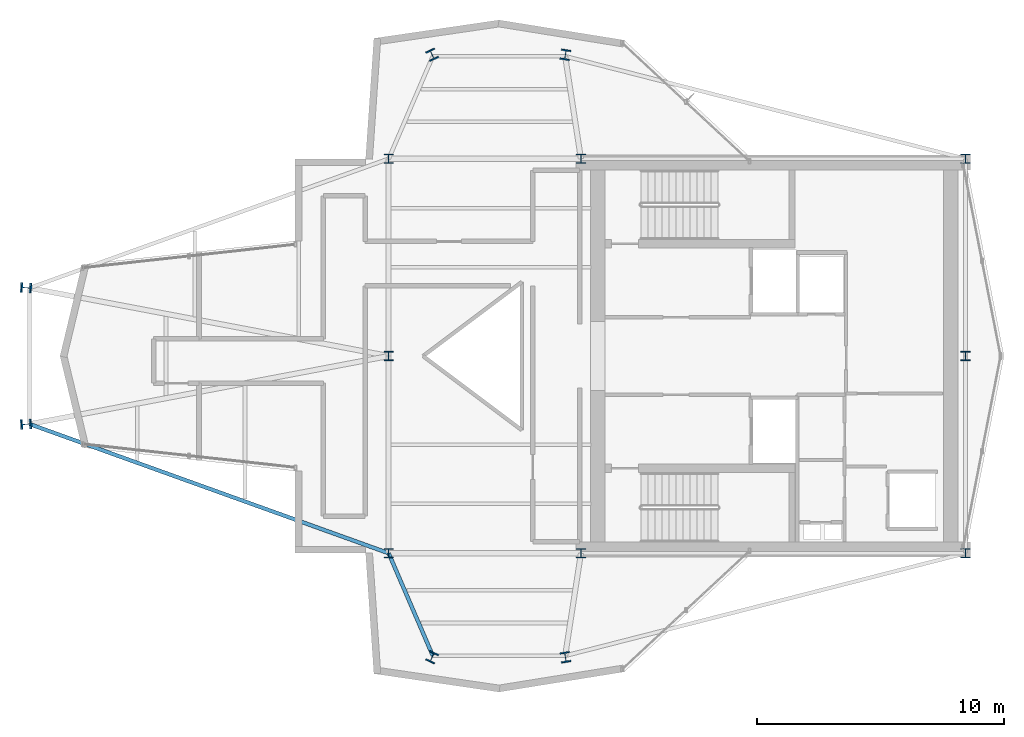
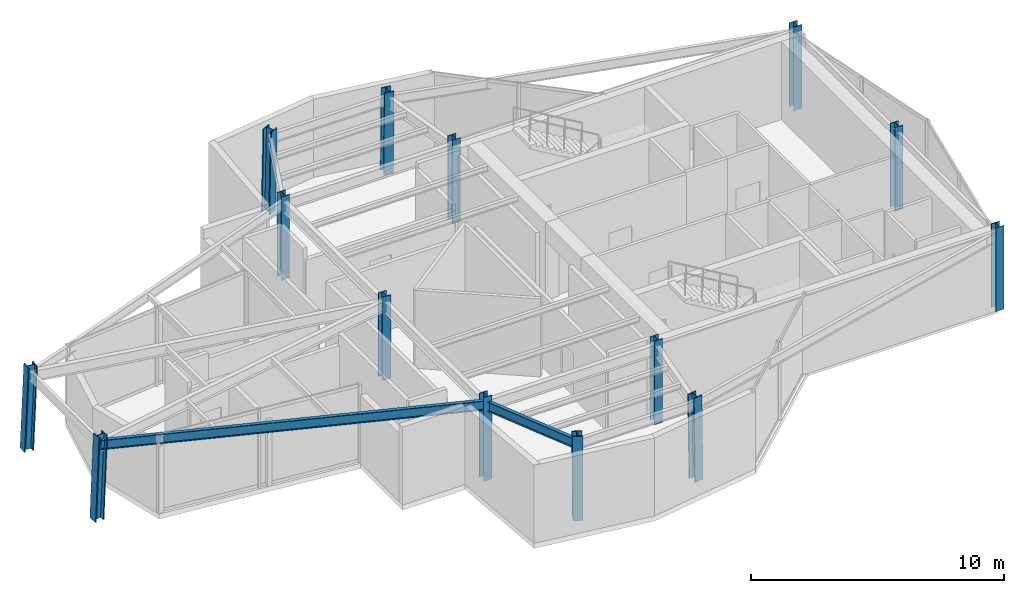
# One storey, part 1 of 11: 14 columns, 2 beams.
"""IFC4 building model written with IfcOpenShell, lengths in metres."""

from ifc_helpers import new_model, si_unit, direction, frame, origin, origin_2d, place, context, subcontext, project, spatial, i_section, extrude, material, material_profile, profile_set, type_object, element, save


model = new_model("IFC4")

# Units and contexts
model_context = context("Model", 3, precision=1e-05, world=origin(), true_north=direction((0.0, 1.0)))
body_context = subcontext(model_context, "Body", "Model", "MODEL_VIEW")
ifc_project = project(units=[si_unit("LENGTHUNIT", "METRE"), si_unit("AREAUNIT", "SQUARE_METRE"), si_unit("VOLUMEUNIT", "CUBIC_METRE"), si_unit("PLANEANGLEUNIT", "RADIAN"), si_unit("MASSUNIT", "GRAM", prefix="KILO")], contexts=[model_context])

# Site, building, storey
site_placement = place(None, origin())
site = spatial("IfcSite", under=ifc_project, at=site_placement, CompositionType="ELEMENT")
building_placement = place(site_placement, origin())
building = spatial("IfcBuilding", under=site, at=building_placement, Name="Veymaron Broadcast Tower", CompositionType="ELEMENT")
storey_placement = place(building_placement, frame((0.0, 0.0, 323.550048828125)))
storey = spatial("IfcBuildingStorey", under=building, at=storey_placement, Name="L76", CompositionType="ELEMENT", Elevation=323.550048828125)

# Columns
ifc_material_1 = material(Name="Structural steel ASTM A992 Gr 50", Category="steel")
ifc_material_profile_1 = material_profile(ifc_material_1, i_section(OverallWidth=0.373046875, OverallDepth=0.367919921875, WebThickness=0.014892578125, FlangeThickness=0.02392578125, at=origin_2d()), Name="W360X179")
ifc_profile_set_1 = profile_set([ifc_material_profile_1], Name="Structural steel ASTM A992 Gr 50")
column_type_1 = type_object("IfcColumnType", Name="COL-HC4", PredefinedType="COLUMN", material=ifc_profile_set_1)
for number, where, z_axis, x_axis, name in (
    (1, (31.199951171875, 16.0, 0.0), (0.0, 0.0, 1.0), (1.0, 0.0, 0.0), "L76 structural hub and core column"),
    (2, (31.199951171875, 24.0, 0.0), (0.0, 0.0, 1.0), (1.0, 0.0, 0.0), "L76 structural hub and core column"),
    (3, (31.199951171875, 32.0, 0.0), (0.0, 0.0, 1.0), (1.0, 0.0, 0.0), "L76 structural hub and core column"),
    (4, (39.0, 16.0, 0.0), (0.0, 0.0, 1.0), (1.0, 0.0, 0.0), "L76 structural hub and core column"),
    (5, (39.0, 32.0, 0.0), (0.0, 0.0, 1.0), (1.0, 0.0, 0.0), "L76 structural hub and core column"),
    (6, (54.60009765625, 16.0, 0.0), (0.0, 0.0, 1.0), (1.0, 0.0, 0.0), "L76 structural hub and core column"),
    (7, (54.60009765625, 24.0, 0.0), (0.0, 0.0, 1.0), (1.0, 0.0, 0.0), "L76 structural hub and core column"),
    (8, (54.60009765625, 32.0, 0.0), (0.0, 0.0, 1.0), (1.0, 0.0, 0.0), "L76 structural hub and core column"),
):
    element("IfcColumn", number, at=place(storey_placement, frame(where, z_axis=z_axis, x_axis=x_axis)), inside=storey, type_object=column_type_1, Name=name, PredefinedType="COLUMN", context=body_context, shape_type="SweptSolid", body=[
        extrude(i_section(OverallWidth=0.373046875, OverallDepth=0.367919921875, WebThickness=0.014892578125, FlangeThickness=0.02392578125, at=origin_2d()), origin(), (0.0, 0.0, 1.0), 4.0439453125),
    ])
ifc_material_2 = material(Name="Structural steel ASTM A913 Gr 65", Category="steel")
ifc_material_profile_2 = material_profile(ifc_material_2, i_section(OverallWidth=0.406005859375, OverallDepth=0.416015625, WebThickness=0.02978515625, FlangeThickness=0.048095703125, at=origin_2d()), Name="W360X382")
ifc_profile_set_2 = profile_set([ifc_material_profile_2], Name="Structural steel ASTM A913 Gr 65")
column_type_2 = type_object("IfcColumnType", Name="COL-MC4", PredefinedType="COLUMN", material=ifc_profile_set_2)
for number, where, z_axis, x_axis, name in (
    (9, (16.46630859375, 21.22802734375, 0.015869140625), (0.041221282751, 0.002974731745, 0.999145613421), (-0.071977769647, 0.997406236534, 0.0), "L76 Tapered Wing Mega Column"),
    (10, (16.46630859375, 26.77197265625, 0.015869140625), (0.041221282751, -0.002974731745, 0.999145613421), (0.071977769647, 0.997406236534, 0.0), "L76 Tapered Wing Mega Column"),
):
    element("IfcColumn", number, at=place(storey_placement, frame(where, z_axis=z_axis, x_axis=x_axis)), inside=storey, type_object=column_type_2, Name=name, PredefinedType="COLUMN", context=body_context, shape_type="SweptSolid", body=[
        extrude(i_section(OverallWidth=0.406005859375, OverallDepth=0.416015625, WebThickness=0.02978515625, FlangeThickness=0.048095703125, at=origin_2d()), origin(), (0.0, 0.0, 1.0), 4.021484375),
    ])
for number, where, z_axis, x_axis, name in (
    (11, (32.95849609375, 36.23193359375, 0.015869140625), (0.008322594075, -0.01792091425, 0.999804768572), (0.906967024071, 0.421201634907, 0.0), "L76 Tapered Wing Mega Column"),
    (12, (38.3720703125, 36.23193359375, 0.015869140625), (-0.002976784139, -0.01792145553, 0.999834966476), (0.986484153533, -0.163856689909, 0.0), "L76 Tapered Wing Mega Column"),
    (13, (32.95849609375, 11.76806640625, 0.015869140625), (0.008322594075, 0.01792091425, 0.999804768572), (-0.906967024071, 0.421201634907, 0.0), "L76 Tapered Wing Mega Column"),
    (14, (38.3720703125, 11.76806640625, 0.015869140625), (-0.002976784139, 0.01792145553, 0.999834966476), (-0.986484153533, -0.163856689909, 0.0), "L76 Tapered Wing Mega Column"),
):
    element("IfcColumn", number, at=place(storey_placement, frame(where, z_axis=z_axis, x_axis=x_axis)), inside=storey, type_object=column_type_2, Name=name, PredefinedType="COLUMN", context=body_context, shape_type="SweptSolid", body=[
        extrude(i_section(OverallWidth=0.406005859375, OverallDepth=0.416015625, WebThickness=0.02978515625, FlangeThickness=0.048095703125, at=origin_2d()), origin(), (0.0, 0.0, 1.0), 4.018798828125),
    ])

# Beams
ifc_material_profile_3 = material_profile(ifc_material_1, i_section(OverallWidth=0.154052734375, OverallDepth=0.458984375, WebThickness=0.009033203125, FlangeThickness=0.015380859375, at=origin_2d()), Name="W460X68")
ifc_profile_set_3 = profile_set([ifc_material_profile_3], Name="Structural steel ASTM A992 Gr 50")
beam_type = type_object("IfcBeamType", Name="BM-SP2", PredefinedType="SPANDREL", material=ifc_profile_set_3)
beam_1_placement = place(storey_placement, frame((16.632080078125, 21.239990234375, 3.54052734375), z_axis=(0.940978846372, -0.338465375896, 0.0), x_axis=(0.338465375896, 0.940978846372, 0.0)))
element("IfcBeam", 15, at=beam_1_placement, inside=storey, type_object=beam_type, Name="L76 primary structural floor girder", PredefinedType="SPANDREL", context=body_context, shape_type="SweptSolid", body=[
    extrude(i_section(OverallWidth=0.154052734375, OverallDepth=0.458984375, WebThickness=0.009033203125, FlangeThickness=0.015380859375, at=origin_2d()), origin(), (0.0, 0.0, 1.0), 15.481689453125),
])
beam_2_placement = place(storey_placement, frame((31.199951171875, 16.0, 3.54052734375), z_axis=(0.395629491612, -0.918410205391, 0.0), x_axis=(0.918410205391, 0.395629491612, 0.0)))
element("IfcBeam", 16, at=beam_2_placement, inside=storey, type_object=beam_type, Name="L76 primary structural floor girder", PredefinedType="SPANDREL", context=body_context, shape_type="SweptSolid", body=[
    extrude(i_section(OverallWidth=0.154052734375, OverallDepth=0.458984375, WebThickness=0.009033203125, FlangeThickness=0.015380859375, at=origin_2d()), origin(), (0.0, 0.0, 1.0), 4.529541015625),
])

save(model, "model.ifc")
